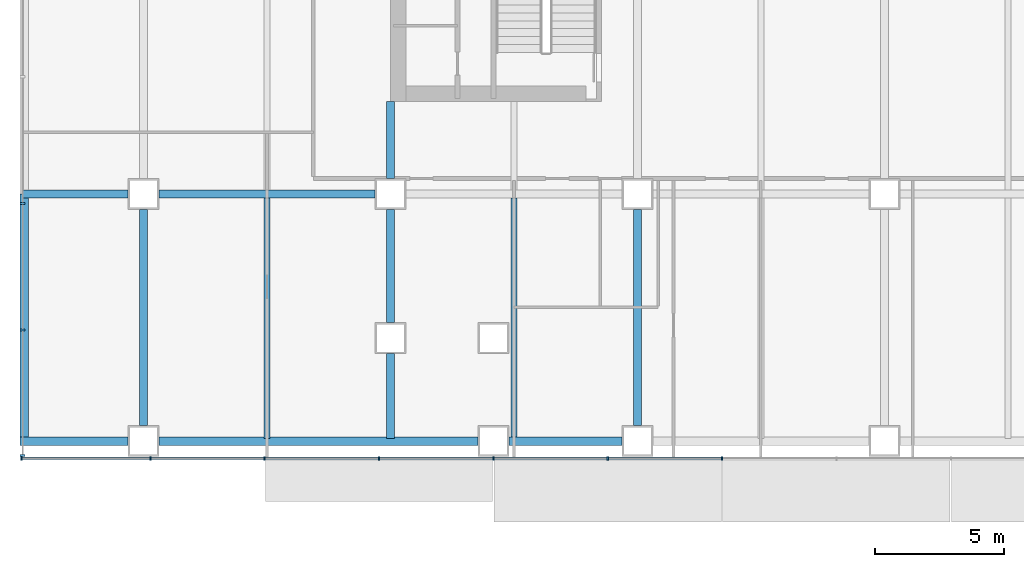
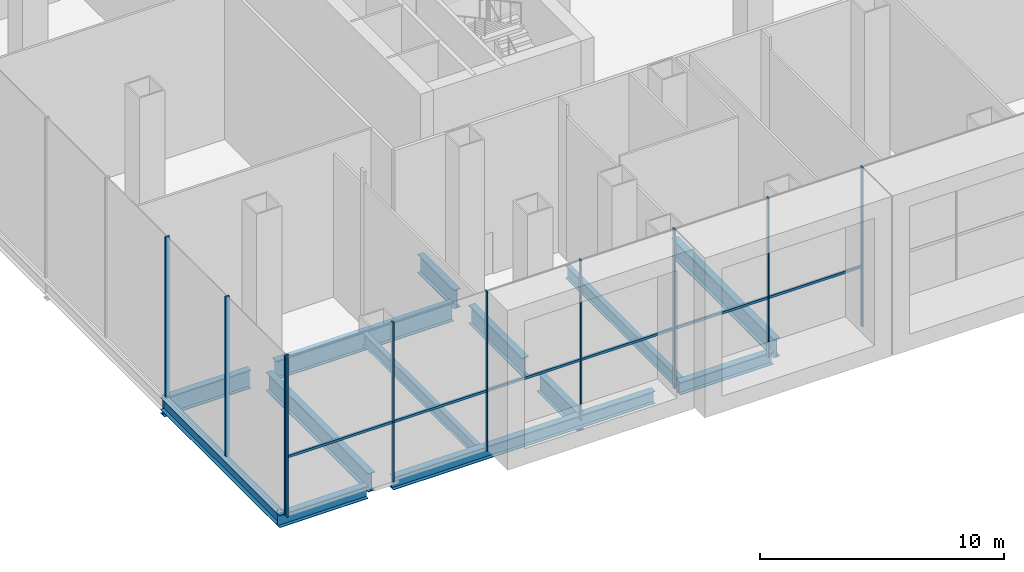
# One storey, part 2 of 24: 16 members, 13 beams, 2 elements without a shape of their own.
"""IFC4 building model written with IfcOpenShell, lengths in metres."""

from ifc_helpers import new_model, si_unit, direction, frame, origin, origin_2d, place, context, subcontext, project, spatial, rectangle, i_section, extrude, material, material_profile, profile_set, type_object, element, aggregate, save


model = new_model("IFC4")

# Units and contexts
model_context = context("Model", 3, precision=1e-05, world=origin(), true_north=direction((0.0, 1.0)))
body_context = subcontext(model_context, "Body", "Model", "MODEL_VIEW")
ifc_project = project(units=[si_unit("LENGTHUNIT", "METRE"), si_unit("AREAUNIT", "SQUARE_METRE"), si_unit("VOLUMEUNIT", "CUBIC_METRE"), si_unit("PLANEANGLEUNIT", "RADIAN"), si_unit("MASSUNIT", "GRAM", prefix="KILO")], contexts=[model_context])

# Site, building, storey
site_placement = place(None, origin())
site = spatial("IfcSite", under=ifc_project, at=site_placement, CompositionType="ELEMENT")
building_placement = place(site_placement, origin())
building = spatial("IfcBuilding", under=site, at=building_placement, Name="Cobrizo Arcos Hotel Tower", CompositionType="ELEMENT")
storey_placement = place(building_placement, frame((0.0, 0.0, 7.5)))
storey = spatial("IfcBuildingStorey", under=building, at=storey_placement, Name="L01", CompositionType="ELEMENT", Elevation=7.5)

# Curtain wall, members
ifc_material_1 = material(Name="Aluminium 6063-T6 anodised bronze", Category="aluminium")
curtain_wall_type_1 = type_object("IfcCurtainWallType", Name="CW-A guest facade", PredefinedType="NOTDEFINED", material=ifc_material_1)
curtain_wall_1_placement = place(storey_placement, origin())
curtain_wall_1 = element("IfcCurtainWall", 1, at=curtain_wall_1_placement, inside=storey, type_object=curtain_wall_type_1, Name="CW-A L01 S face", PredefinedType="NOTDEFINED")
ifc_material_profile_1 = material_profile(ifc_material_1, rectangle(XDim=0.14990234375, YDim=0.06005859375, at=origin_2d()), Name="CW-A mullion 150x60")
ifc_profile_set_1 = profile_set([ifc_material_profile_1], Name="Aluminium 6063-T6 anodised bronze")
member_type_1 = type_object("IfcMemberType", Name="CW-A mullion 150x60", PredefinedType="MULLION", material=ifc_profile_set_1)
member_1_placement = place(storey_placement, frame((-38.344970703125, -24.675048828125, 0.0), z_axis=(0.0, 0.0, 1.0), x_axis=(0.0, -1.0, 0.0)))
member_1 = element("IfcMember", 2, at=member_1_placement, type_object=member_type_1, Name="CW-A mullion 1", PredefinedType="MULLION", context=body_context, shape_type="SweptSolid", body=[
    extrude(rectangle(XDim=0.14990234375, YDim=0.06005859375, at=origin_2d()), origin(), (0.0, 0.0, 1.0), 8.0),
])
member_2_placement = place(storey_placement, frame((-33.333251953125, -24.675048828125, 0.0), z_axis=(0.0, 0.0, 1.0), x_axis=(0.0, -1.0, 0.0)))
member_2 = element("IfcMember", 3, at=member_2_placement, type_object=member_type_1, Name="CW-A mullion 2", PredefinedType="MULLION", context=body_context, shape_type="SweptSolid", body=[
    extrude(rectangle(XDim=0.14990234375, YDim=0.06005859375, at=origin_2d()), origin(), (0.0, 0.0, 1.0), 8.0),
])
member_3_placement = place(storey_placement, frame((-28.888916015625, -24.675048828125, 0.0), z_axis=(0.0, 0.0, 1.0), x_axis=(0.0, -1.0, 0.0)))
member_3 = element("IfcMember", 4, at=member_3_placement, type_object=member_type_1, Name="CW-A mullion 3", PredefinedType="MULLION", context=body_context, shape_type="SweptSolid", body=[
    extrude(rectangle(XDim=0.14990234375, YDim=0.06005859375, at=origin_2d()), origin(), (0.0, 0.0, 1.0), 8.0),
])
member_4_placement = place(storey_placement, frame((-24.4443359375, -24.675048828125, 0.0), z_axis=(0.0, 0.0, 1.0), x_axis=(0.0, -1.0, 0.0)))
member_4 = element("IfcMember", 5, at=member_4_placement, type_object=member_type_1, Name="CW-A mullion 4", PredefinedType="MULLION", context=body_context, shape_type="SweptSolid", body=[
    extrude(rectangle(XDim=0.14990234375, YDim=0.06005859375, at=origin_2d()), origin(), (0.0, 0.0, 1.0), 8.0),
])
member_5_placement = place(storey_placement, frame((-20.0, -24.675048828125, 0.0), z_axis=(0.0, 0.0, 1.0), x_axis=(0.0, -1.0, 0.0)))
member_5 = element("IfcMember", 6, at=member_5_placement, type_object=member_type_1, Name="CW-A mullion 5", PredefinedType="MULLION", context=body_context, shape_type="SweptSolid", body=[
    extrude(rectangle(XDim=0.14990234375, YDim=0.06005859375, at=origin_2d()), origin(), (0.0, 0.0, 1.0), 8.0),
])
member_6_placement = place(storey_placement, frame((-15.5556640625, -24.675048828125, 0.0), z_axis=(0.0, 0.0, 1.0), x_axis=(0.0, -1.0, 0.0)))
member_6 = element("IfcMember", 7, at=member_6_placement, type_object=member_type_1, Name="CW-A mullion 6", PredefinedType="MULLION", context=body_context, shape_type="SweptSolid", body=[
    extrude(rectangle(XDim=0.14990234375, YDim=0.06005859375, at=origin_2d()), origin(), (0.0, 0.0, 1.0), 8.0),
])
member_7_placement = place(storey_placement, frame((-11.111083984375, -24.675048828125, 0.0), z_axis=(0.0, 0.0, 1.0), x_axis=(0.0, -1.0, 0.0)))
member_7 = element("IfcMember", 8, at=member_7_placement, type_object=member_type_1, Name="CW-A mullion 7", PredefinedType="MULLION", context=body_context, shape_type="SweptSolid", body=[
    extrude(rectangle(XDim=0.14990234375, YDim=0.06005859375, at=origin_2d()), origin(), (0.0, 0.0, 1.0), 8.0),
])
ifc_material_profile_2 = material_profile(ifc_material_1, rectangle(XDim=0.10009765625, YDim=0.1201171875, at=origin_2d()), Name="CW-A transom 120x100")
ifc_profile_set_2 = profile_set([ifc_material_profile_2], Name="Aluminium 6063-T6 anodised bronze")
member_type_2 = type_object("IfcMemberType", Name="CW-A transom 120x100", PredefinedType="USERDEFINED", material=ifc_profile_set_2)
member_8_placement = place(storey_placement, frame((-38.31494140625, -24.675048828125, 3.0), z_axis=(1.0, 0.0, 0.0), x_axis=(0.0, 1.0, 0.0)))
member_8 = element("IfcMember", 9, at=member_8_placement, type_object=member_type_2, Name="CW-A transom 90", ObjectType="TRANSOM", PredefinedType="USERDEFINED", context=body_context, shape_type="SweptSolid", body=[
    extrude(rectangle(XDim=0.10009765625, YDim=0.1201171875, at=origin_2d()), origin(), (0.0, 0.0, 1.0), 4.95166015625),
])
member_9_placement = place(storey_placement, frame((-33.30322265625, -24.675048828125, 3.0), z_axis=(1.0, 0.0, 0.0), x_axis=(0.0, 1.0, 0.0)))
member_9 = element("IfcMember", 10, at=member_9_placement, type_object=member_type_2, Name="CW-A transom 91", ObjectType="TRANSOM", PredefinedType="USERDEFINED", context=body_context, shape_type="SweptSolid", body=[
    extrude(rectangle(XDim=0.10009765625, YDim=0.1201171875, at=origin_2d()), origin(), (0.0, 0.0, 1.0), 4.38427734375),
])
member_10_placement = place(storey_placement, frame((-28.85888671875, -24.675048828125, 3.0), z_axis=(1.0, 0.0, 0.0), x_axis=(0.0, 1.0, 0.0)))
member_10 = element("IfcMember", 11, at=member_10_placement, type_object=member_type_2, Name="CW-A transom 92", ObjectType="TRANSOM", PredefinedType="USERDEFINED", context=body_context, shape_type="SweptSolid", body=[
    extrude(rectangle(XDim=0.10009765625, YDim=0.1201171875, at=origin_2d()), origin(), (0.0, 0.0, 1.0), 4.384521484375),
])
member_11_placement = place(storey_placement, frame((-24.41455078125, -24.675048828125, 3.0), z_axis=(1.0, 0.0, 0.0), x_axis=(0.0, 1.0, 0.0)))
member_11 = element("IfcMember", 12, at=member_11_placement, type_object=member_type_2, Name="CW-A transom 93", ObjectType="TRANSOM", PredefinedType="USERDEFINED", context=body_context, shape_type="SweptSolid", body=[
    extrude(rectangle(XDim=0.10009765625, YDim=0.1201171875, at=origin_2d()), origin(), (0.0, 0.0, 1.0), 4.384521484375),
])
member_12_placement = place(storey_placement, frame((-19.969970703125, -24.675048828125, 3.0), z_axis=(1.0, 0.0, 0.0), x_axis=(0.0, 1.0, 0.0)))
member_12 = element("IfcMember", 13, at=member_12_placement, type_object=member_type_2, Name="CW-A transom 94", ObjectType="TRANSOM", PredefinedType="USERDEFINED", context=body_context, shape_type="SweptSolid", body=[
    extrude(rectangle(XDim=0.10009765625, YDim=0.1201171875, at=origin_2d()), origin(), (0.0, 0.0, 1.0), 4.384521484375),
])
member_13_placement = place(storey_placement, frame((-15.525634765625, -24.675048828125, 3.0), z_axis=(1.0, 0.0, 0.0), x_axis=(0.0, 1.0, 0.0)))
member_13 = element("IfcMember", 14, at=member_13_placement, type_object=member_type_2, Name="CW-A transom 95", ObjectType="TRANSOM", PredefinedType="USERDEFINED", context=body_context, shape_type="SweptSolid", body=[
    extrude(rectangle(XDim=0.10009765625, YDim=0.1201171875, at=origin_2d()), origin(), (0.0, 0.0, 1.0), 4.384521484375),
])
aggregate(curtain_wall_1, [member_1, member_2, member_3, member_4, member_5, member_6, member_7, member_8, member_9, member_10, member_11, member_12, member_13])

curtain_wall_type_2 = type_object("IfcCurtainWallType", Name="CW-B podium glazing", PredefinedType="NOTDEFINED", material=ifc_material_1)
curtain_wall_2_placement = place(storey_placement, origin())
curtain_wall_2 = element("IfcCurtainWall", 15, at=curtain_wall_2_placement, inside=storey, type_object=curtain_wall_type_2, Name="CW-B L01 W face", PredefinedType="NOTDEFINED")
ifc_material_profile_3 = material_profile(ifc_material_1, rectangle(XDim=0.199951171875, YDim=0.080078125, at=origin_2d()), Name="CW-B mullion 200x80")
ifc_profile_set_3 = profile_set([ifc_material_profile_3], Name="Aluminium 6063-T6 anodised bronze")
member_type_3 = type_object("IfcMemberType", Name="CW-B mullion 200x80", PredefinedType="MULLION", material=ifc_profile_set_3)
member_14_placement = place(storey_placement, frame((-38.300048828125, -14.760009765625, 0.0), z_axis=(0.0, 0.0, 1.0), x_axis=(-1.0, 0.0, 0.0)))
member_14 = element("IfcMember", 16, at=member_14_placement, type_object=member_type_3, Name="CW-B mullion 9", PredefinedType="MULLION", context=body_context, shape_type="SweptSolid", body=[
    extrude(rectangle(XDim=0.199951171875, YDim=0.080078125, at=origin_2d()), origin(), (0.0, 0.0, 1.0), 8.0),
])
member_15_placement = place(storey_placement, frame((-38.300048828125, -19.679931640625, 0.0), z_axis=(0.0, 0.0, 1.0), x_axis=(-1.0, 0.0, 0.0)))
member_15 = element("IfcMember", 17, at=member_15_placement, type_object=member_type_3, Name="CW-B mullion 10", PredefinedType="MULLION", context=body_context, shape_type="SweptSolid", body=[
    extrude(rectangle(XDim=0.199951171875, YDim=0.080078125, at=origin_2d()), origin(), (0.0, 0.0, 1.0), 8.0),
])
member_16_placement = place(storey_placement, frame((-38.300048828125, -24.56005859375, 0.0), z_axis=(0.0, 0.0, 1.0), x_axis=(-1.0, 0.0, 0.0)))
member_16 = element("IfcMember", 18, at=member_16_placement, type_object=member_type_3, Name="CW-B mullion 11", PredefinedType="MULLION", context=body_context, shape_type="SweptSolid", body=[
    extrude(rectangle(XDim=0.199951171875, YDim=0.080078125, at=origin_2d()), origin(), (0.0, 0.0, 1.0), 8.0),
])
aggregate(curtain_wall_2, [member_14, member_15, member_16])

# Beams
ifc_material_2 = material(Name="Steel ASTM A992 Grade 50", Category="steel")
ifc_material_profile_4 = material_profile(ifc_material_2, i_section(OverallWidth=0.32763671875, OverallDepth=0.622314453125, WebThickness=0.015380859375, FlangeThickness=0.0244140625, at=origin_2d()), Name="W24X131")
ifc_profile_set_4 = profile_set([ifc_material_profile_4], Name="Steel ASTM A992 Grade 50")
beam_type_1 = type_object("IfcBeamType", Name="W24X131 edge beam", PredefinedType="BEAM", material=ifc_profile_set_4)
beam_1_placement = place(storey_placement, frame((-38.236083984375, -14.39990234375, -0.56103515625), z_axis=(0.0, -1.0, 0.0), x_axis=(1.0, 0.0, 0.0)))
element("IfcBeam", 19, at=beam_1_placement, inside=storey, type_object=beam_type_1, Name="Edge beam EB1, L01, no. 012", PredefinedType="BEAM", context=body_context, shape_type="SweptSolid", body=[
    extrude(i_section(OverallWidth=0.32763671875, OverallDepth=0.622314453125, WebThickness=0.015380859375, FlangeThickness=0.0244140625, at=origin_2d()), origin(), (0.0, 0.0, 1.0), 9.60009765625),
])
beam_2_placement = place(storey_placement, frame((-38.39990234375, -24.0, -0.56103515625), z_axis=(1.0, 0.0, 0.0), x_axis=(0.0, 1.0, 0.0)))
element("IfcBeam", 20, at=beam_2_placement, inside=storey, type_object=beam_type_1, Name="Edge beam EB1, L01, no. 013", PredefinedType="BEAM", context=body_context, shape_type="SweptSolid", body=[
    extrude(i_section(OverallWidth=0.32763671875, OverallDepth=0.622314453125, WebThickness=0.015380859375, FlangeThickness=0.0244140625, at=origin_2d()), origin(), (0.0, 0.0, 1.0), 4.199951171875),
])
ifc_material_profile_5 = material_profile(ifc_material_2, i_section(OverallWidth=0.32763671875, OverallDepth=0.622314453125, WebThickness=0.015380859375, FlangeThickness=0.0244140625, at=origin_2d()), Name="W24X131")
ifc_profile_set_5 = profile_set([ifc_material_profile_5], Name="Steel ASTM A992 Grade 50")
beam_type_2 = type_object("IfcBeamType", Name="W24X131 spandrel", PredefinedType="SPANDREL", material=ifc_profile_set_5)
beam_3_placement = place(storey_placement, frame((-33.0, -24.0, -0.56103515625), z_axis=(1.0, 0.0, 0.0), x_axis=(0.0, 1.0, 0.0)))
element("IfcBeam", 21, at=beam_3_placement, inside=storey, type_object=beam_type_2, Name="Spandrel beam W24X131, L01, no. 008", PredefinedType="SPANDREL", context=body_context, shape_type="SweptSolid", body=[
    extrude(i_section(OverallWidth=0.32763671875, OverallDepth=0.622314453125, WebThickness=0.015380859375, FlangeThickness=0.0244140625, at=origin_2d()), origin(), (0.0, 0.0, 1.0), 12.39990234375),
])
beam_4_placement = place(storey_placement, frame((-19.39990234375, -24.0, -0.56103515625), z_axis=(1.0, 0.0, 0.0), x_axis=(0.0, 1.0, 0.0)))
element("IfcBeam", 22, at=beam_4_placement, inside=storey, type_object=beam_type_2, Name="Spandrel beam W24X131, L01, no. 009", PredefinedType="SPANDREL", context=body_context, shape_type="SweptSolid", body=[
    extrude(i_section(OverallWidth=0.32763671875, OverallDepth=0.622314453125, WebThickness=0.015380859375, FlangeThickness=0.0244140625, at=origin_2d()), origin(), (0.0, 0.0, 1.0), 4.39990234375),
])
ifc_material_profile_6 = material_profile(ifc_material_2, i_section(OverallWidth=0.23046875, OverallDepth=0.6171875, WebThickness=0.01318359375, FlangeThickness=0.022216796875, at=origin_2d()), Name="W24X94")
ifc_profile_set_6 = profile_set([ifc_material_profile_6], Name="Steel ASTM A992 Grade 50")
beam_type_3 = type_object("IfcBeamType", Name="W24X94 podium joist", PredefinedType="JOIST", material=ifc_profile_set_6)
for number, where, z_axis, x_axis, name in (
    (23, (-28.800048828125, -23.909912109375, -0.55859375), (0.0, 1.0, 0.0), (-1.0, 0.0, 0.0), "Podium joist PJ1, L01, no. 001"),
    (24, (-19.199951171875, -23.909912109375, -0.55859375), (0.0, 1.0, 0.0), (-1.0, 0.0, 0.0), "Podium joist PJ1, L01, no. 006"),
):
    element("IfcBeam", number, at=place(storey_placement, frame(where, z_axis=z_axis, x_axis=x_axis)), inside=storey, type_object=beam_type_3, Name=name, PredefinedType="JOIST", context=body_context, shape_type="SweptSolid", body=[
        extrude(i_section(OverallWidth=0.23046875, OverallDepth=0.6171875, WebThickness=0.01318359375, FlangeThickness=0.022216796875, at=origin_2d()), origin(), (0.0, 0.0, 1.0), 9.356201171875),
    ])
ifc_material_profile_7 = material_profile(ifc_material_2, i_section(OverallWidth=0.307373046875, OverallDepth=0.927001953125, WebThickness=0.01953125, FlangeThickness=0.031982421875, at=origin_2d()), Name="W36X194")
ifc_profile_set_7 = profile_set([ifc_material_profile_7], Name="Steel ASTM A992 Grade 50")
beam_type_4 = type_object("IfcBeamType", Name="W36X194 podium girder", PredefinedType="BEAM", material=ifc_profile_set_7)
beam_5_placement = place(storey_placement, frame((-38.31005859375, -14.39990234375, -0.71337890625), z_axis=(1.0, 0.0, 0.0), x_axis=(0.0, 1.0, 0.0)))
element("IfcBeam", 25, at=beam_5_placement, inside=storey, type_object=beam_type_4, Name="Podium girder PG1, L01, no. 001", PredefinedType="BEAM", context=body_context, shape_type="SweptSolid", body=[
    extrude(i_section(OverallWidth=0.307373046875, OverallDepth=0.927001953125, WebThickness=0.01953125, FlangeThickness=0.031982421875, at=origin_2d()), origin(), (0.0, 0.0, 1.0), 4.110107421875),
])
for number, where, z_axis, x_axis, name in (
    (26, (-33.0, -14.39990234375, -0.71337890625), (1.0, 0.0, 0.0), (0.0, 1.0, 0.0), "Podium girder PG1, L01, no. 002"),
    (27, (-33.60009765625, -23.39990234375, -0.71337890625), (0.0, 1.0, 0.0), (-1.0, 0.0, 0.0), "Podium girder PG1, L01, no. 035"),
):
    element("IfcBeam", number, at=place(storey_placement, frame(where, z_axis=z_axis, x_axis=x_axis)), inside=storey, type_object=beam_type_4, Name=name, PredefinedType="BEAM", context=body_context, shape_type="SweptSolid", body=[
        extrude(i_section(OverallWidth=0.307373046875, OverallDepth=0.927001953125, WebThickness=0.01953125, FlangeThickness=0.031982421875, at=origin_2d()), origin(), (0.0, 0.0, 1.0), 8.39990234375),
    ])
beam_6_placement = place(storey_placement, frame((-24.0, -23.909912109375, -0.71337890625), z_axis=(0.0, 1.0, 0.0), x_axis=(-1.0, 0.0, 0.0)))
element("IfcBeam", 28, at=beam_6_placement, inside=storey, type_object=beam_type_4, Name="Podium girder PG1, L01, no. 040", PredefinedType="BEAM", context=body_context, shape_type="SweptSolid", body=[
    extrude(i_section(OverallWidth=0.307373046875, OverallDepth=0.927001953125, WebThickness=0.01953125, FlangeThickness=0.031982421875, at=origin_2d()), origin(), (0.0, 0.0, 1.0), 3.309814453125),
])
beam_7_placement = place(storey_placement, frame((-24.0, -19.39990234375, -0.71337890625), z_axis=(0.0, 1.0, 0.0), x_axis=(-1.0, 0.0, 0.0)))
element("IfcBeam", 29, at=beam_7_placement, inside=storey, type_object=beam_type_4, Name="Podium girder PG1, L01, no. 041", PredefinedType="BEAM", context=body_context, shape_type="SweptSolid", body=[
    extrude(i_section(OverallWidth=0.307373046875, OverallDepth=0.927001953125, WebThickness=0.01953125, FlangeThickness=0.031982421875, at=origin_2d()), origin(), (0.0, 0.0, 1.0), 4.39990234375),
])
beam_8_placement = place(storey_placement, frame((-24.0, -13.800048828125, -0.71337890625), z_axis=(0.0, 1.0, 0.0), x_axis=(-1.0, 0.0, 0.0)))
element("IfcBeam", 30, at=beam_8_placement, inside=storey, type_object=beam_type_4, Name="Podium girder PG1, L01, no. 042", PredefinedType="BEAM", context=body_context, shape_type="SweptSolid", body=[
    extrude(i_section(OverallWidth=0.307373046875, OverallDepth=0.927001953125, WebThickness=0.01953125, FlangeThickness=0.031982421875, at=origin_2d()), origin(), (0.0, 0.0, 1.0), 2.989990234375),
])
beam_9_placement = place(storey_placement, frame((-14.39990234375, -23.39990234375, -0.71337890625), z_axis=(0.0, 1.0, 0.0), x_axis=(-1.0, 0.0, 0.0)))
element("IfcBeam", 31, at=beam_9_placement, inside=storey, type_object=beam_type_4, Name="Podium girder PG1, L01, no. 046", PredefinedType="BEAM", context=body_context, shape_type="SweptSolid", body=[
    extrude(i_section(OverallWidth=0.307373046875, OverallDepth=0.927001953125, WebThickness=0.01953125, FlangeThickness=0.031982421875, at=origin_2d()), origin(), (0.0, 0.0, 1.0), 8.39990234375),
])

save(model, "model.ifc")
